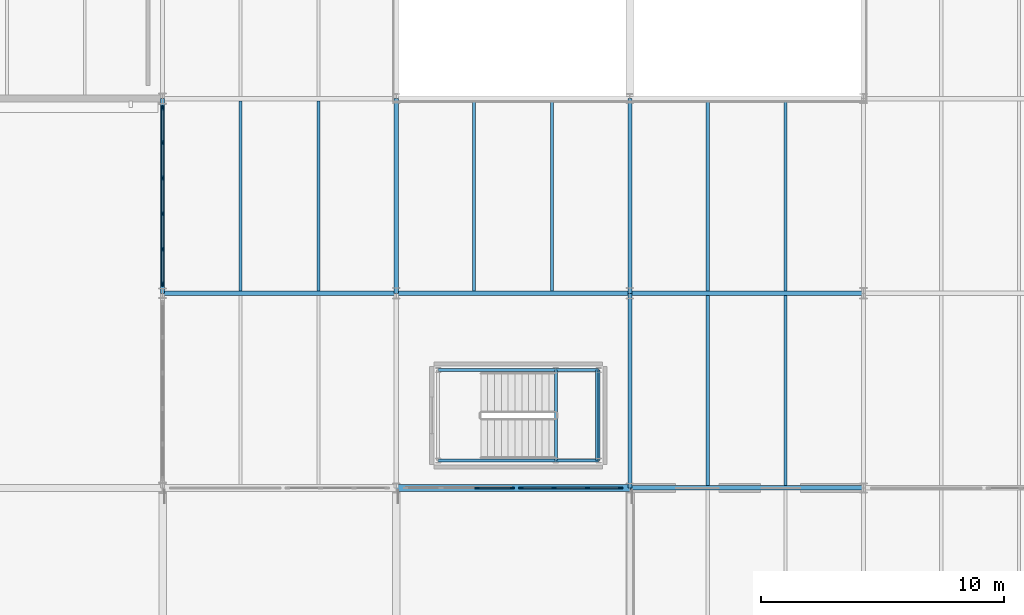
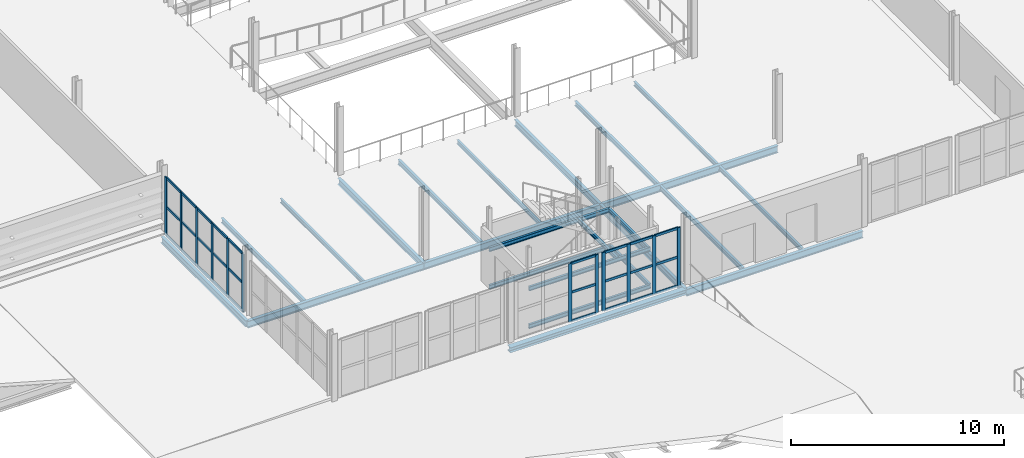
# One storey, part 41 of 85: 39 members, 24 beams, 3 elements without a shape of their own.
"""IFC4 building model written with IfcOpenShell, lengths in metres."""

from ifc_helpers import new_model, si_unit, direction, frame, origin, origin_2d, place, context, subcontext, project, spatial, rectangle, i_section, extrude, material, layer, layer_set, material_profile, profile_set, type_object, element, aggregate, save


model = new_model("IFC4")

# Units and contexts
model_context = context("Model", 3, precision=1e-05, world=origin(), true_north=direction((0.0, 1.0)))
body_context = subcontext(model_context, "Body", "Model", "MODEL_VIEW")
ifc_project = project(units=[si_unit("LENGTHUNIT", "METRE"), si_unit("AREAUNIT", "SQUARE_METRE"), si_unit("VOLUMEUNIT", "CUBIC_METRE"), si_unit("PLANEANGLEUNIT", "RADIAN"), si_unit("MASSUNIT", "GRAM", prefix="KILO")], contexts=[model_context])

# Site, building, storey
site_placement = place(None, origin())
site = spatial("IfcSite", under=ifc_project, at=site_placement, CompositionType="ELEMENT")
building_placement = place(site_placement, origin())
building = spatial("IfcBuilding", under=site, at=building_placement, Name="Alderhovde Museum", CompositionType="ELEMENT")
storey_placement = place(building_placement, frame((0.0, 0.0, 8.699951171875)))
storey = spatial("IfcBuildingStorey", under=building, at=storey_placement, Name="L02", CompositionType="ELEMENT", Elevation=8.699951171875)

# Beams
ifc_material_1 = material(Name="Steel S355J2", Category="steel")
ifc_material_profile_1 = material_profile(ifc_material_1, i_section(OverallWidth=0.1201171875, OverallDepth=0.239990234375, WebThickness=0.006103515625, FlangeThickness=0.009765625, FilletRadius=0.014892578125, at=origin_2d()), Name="IPE 240")
ifc_profile_set_1 = profile_set([ifc_material_profile_1], Name="Steel S355J2")
beam_type_1 = type_object("IfcBeamType", Name="BM-IPE240", PredefinedType="BEAM", material=ifc_profile_set_1)
for number, where, z_axis, x_axis, name in (
    (1, (88.1201171875, 33.1201171875, -0.3798828125), (1.0, 0.0, 0.0), (0.0, 1.0, 0.0), "L02 Stair ST3 Floor Trimmer S"),
    (2, (88.1201171875, 36.840087890625, -0.3798828125), (1.0, 0.0, 0.0), (0.0, 1.0, 0.0), "L02 Stair ST3 Floor Trimmer N"),
):
    element("IfcBeam", number, at=place(storey_placement, frame(where, z_axis=z_axis, x_axis=x_axis)), inside=storey, type_object=beam_type_1, Name=name, PredefinedType="BEAM", context=body_context, shape_type="SweptSolid", body=[
        extrude(i_section(OverallWidth=0.1201171875, OverallDepth=0.239990234375, WebThickness=0.006103515625, FlangeThickness=0.009765625, FilletRadius=0.014892578125, at=origin_2d()), origin(), (0.0, 0.0, 1.0), 6.599853515625),
    ])
beam_1_placement = place(storey_placement, frame((94.719970703125, 33.1201171875, -0.3798828125), z_axis=(0.0, 1.0, 0.0), x_axis=(-1.0, 0.0, 0.0)))
element("IfcBeam", 3, at=beam_1_placement, inside=storey, type_object=beam_type_1, Name="L02 Stair ST3 Floor Trimmer E", PredefinedType="BEAM", context=body_context, shape_type="SweptSolid", body=[
    extrude(i_section(OverallWidth=0.1201171875, OverallDepth=0.239990234375, WebThickness=0.006103515625, FlangeThickness=0.009765625, FilletRadius=0.014892578125, at=origin_2d()), origin(), (0.0, 0.0, 1.0), 3.719970703125),
])
for number, where, z_axis, x_axis, name in (
    (4, (88.1201171875, 33.1201171875, 1.780029296875), (1.0, 0.0, 0.0), (0.0, 1.0, 0.0), "L02 Stair ST3 Landing 1 Beam S"),
    (5, (88.1201171875, 36.840087890625, 1.780029296875), (1.0, 0.0, 0.0), (0.0, 1.0, 0.0), "L02 Stair ST3 Landing 1 Beam N"),
):
    element("IfcBeam", number, at=place(storey_placement, frame(where, z_axis=z_axis, x_axis=x_axis)), inside=storey, type_object=beam_type_1, Name=name, PredefinedType="BEAM", context=body_context, shape_type="SweptSolid", body=[
        extrude(i_section(OverallWidth=0.1201171875, OverallDepth=0.239990234375, WebThickness=0.006103515625, FlangeThickness=0.009765625, FilletRadius=0.014892578125, at=origin_2d()), origin(), (0.0, 0.0, 1.0), 6.599853515625),
    ])
for number, where, z_axis, x_axis, name in (
    (6, (92.9599609375, 33.1201171875, 1.780029296875), (0.0, 1.0, 0.0), (-1.0, 0.0, 0.0), "L02 Stair ST3 Landing 1 Beam W"),
    (7, (94.639892578125, 33.1201171875, 1.780029296875), (0.0, 1.0, 0.0), (-1.0, 0.0, 0.0), "L02 Stair ST3 Landing 1 Beam E"),
):
    element("IfcBeam", number, at=place(storey_placement, frame(where, z_axis=z_axis, x_axis=x_axis)), inside=storey, type_object=beam_type_1, Name=name, PredefinedType="BEAM", context=body_context, shape_type="SweptSolid", body=[
        extrude(i_section(OverallWidth=0.1201171875, OverallDepth=0.239990234375, WebThickness=0.006103515625, FlangeThickness=0.009765625, FilletRadius=0.014892578125, at=origin_2d()), origin(), (0.0, 0.0, 1.0), 3.719970703125),
    ])
ifc_material_2 = material(Name="Steel S355J2", Category="steel")
ifc_material_profile_2 = material_profile(ifc_material_2, i_section(OverallWidth=0.169921875, OverallDepth=0.360107421875, WebThickness=0.008056640625, FlangeThickness=0.0126953125, FilletRadius=0.01806640625, at=origin_2d()), Name="IPE 360")
ifc_profile_set_2 = profile_set([ifc_material_profile_2], Name="Steel S355J2")
beam_type_2 = type_object("IfcBeamType", Name="BM-IPE360", PredefinedType="BEAM", material=ifc_profile_set_2)
for number, where, z_axis, x_axis, name in (
    (8, (76.800048828125, 40.0, -0.43994140625), (0.0, 1.0, 0.0), (-1.0, 0.0, 0.0), "L02 Grid Beam X=76.8 (40.0 TO 48.0)"),
    (9, (86.39990234375, 40.0, -0.43994140625), (0.0, 1.0, 0.0), (-1.0, 0.0, 0.0), "L02 Grid Beam X=86.4 (40.0 TO 48.0)"),
    (10, (96.0, 32.0, -0.43994140625), (0.0, 1.0, 0.0), (-1.0, 0.0, 0.0), "L02 Grid Beam X=96.0 (32.0 TO 40.0)"),
    (11, (96.0, 40.0, -0.43994140625), (0.0, 1.0, 0.0), (-1.0, 0.0, 0.0), "L02 Grid Beam X=96.0 (40.0 TO 48.0)"),
):
    element("IfcBeam", number, at=place(storey_placement, frame(where, z_axis=z_axis, x_axis=x_axis)), inside=storey, type_object=beam_type_2, Name=name, PredefinedType="BEAM", context=body_context, shape_type="SweptSolid", body=[
        extrude(i_section(OverallWidth=0.169921875, OverallDepth=0.360107421875, WebThickness=0.008056640625, FlangeThickness=0.0126953125, FilletRadius=0.01806640625, at=origin_2d()), origin(), (0.0, 0.0, 1.0), 8.0),
    ])
ifc_material_3 = material(Name="Steel S355J2", Category="steel")
ifc_material_profile_3 = material_profile(ifc_material_3, i_section(OverallWidth=0.179931640625, OverallDepth=0.39990234375, WebThickness=0.008544921875, FlangeThickness=0.013427734375, FilletRadius=0.02099609375, at=origin_2d()), Name="IPE 400")
ifc_profile_set_3 = profile_set([ifc_material_profile_3], Name="Steel S355J2")
beam_type_3 = type_object("IfcBeamType", Name="BM-IPE400", PredefinedType="BEAM", material=ifc_profile_set_3)
beam_2_placement = place(storey_placement, frame((96.0, 32.0, -0.5), z_axis=(1.0, 0.0, 0.0), x_axis=(0.0, 1.0, 0.0)))
element("IfcBeam", 12, at=beam_2_placement, inside=storey, type_object=beam_type_3, Name="L02 Grid Beam Y=32.0 (96.0 TO 105.6)", PredefinedType="BEAM", context=body_context, shape_type="SweptSolid", body=[
    extrude(i_section(OverallWidth=0.179931640625, OverallDepth=0.39990234375, WebThickness=0.008544921875, FlangeThickness=0.013427734375, FilletRadius=0.02099609375, at=origin_2d()), origin(), (0.0, 0.0, 1.0), 9.60009765625),
])
beam_3_placement = place(storey_placement, frame((76.800048828125, 40.0, -0.4599609375), z_axis=(1.0, 0.0, 0.0), x_axis=(0.0, 1.0, 0.0)))
element("IfcBeam", 13, at=beam_3_placement, inside=storey, type_object=beam_type_3, Name="L02 Grid Beam Y=40.0 (76.8 TO 86.4)", PredefinedType="BEAM", context=body_context, shape_type="SweptSolid", body=[
    extrude(i_section(OverallWidth=0.179931640625, OverallDepth=0.39990234375, WebThickness=0.008544921875, FlangeThickness=0.013427734375, FilletRadius=0.02099609375, at=origin_2d()), origin(), (0.0, 0.0, 1.0), 9.599853515625),
])
for number, where, z_axis, x_axis, name in (
    (14, (86.39990234375, 40.0, -0.4599609375), (1.0, 0.0, 0.0), (0.0, 1.0, 0.0), "L02 Grid Beam Y=40.0 (86.4 TO 96.0)"),
    (15, (96.0, 40.0, -0.4599609375), (1.0, 0.0, 0.0), (0.0, 1.0, 0.0), "L02 Grid Beam Y=40.0 (96.0 TO 105.6)"),
):
    element("IfcBeam", number, at=place(storey_placement, frame(where, z_axis=z_axis, x_axis=x_axis)), inside=storey, type_object=beam_type_3, Name=name, PredefinedType="BEAM", context=body_context, shape_type="SweptSolid", body=[
        extrude(i_section(OverallWidth=0.179931640625, OverallDepth=0.39990234375, WebThickness=0.008544921875, FlangeThickness=0.013427734375, FilletRadius=0.02099609375, at=origin_2d()), origin(), (0.0, 0.0, 1.0), 9.60009765625),
    ])

# Curtain wall, members
ifc_material_4 = material(Name="Triple-Glazed Bronze-Anodised Curtain Wall", Category="glass")
ifc_layer_1 = layer(ifc_material_4, 0.179931640625)
ifc_layer_set_1 = layer_set([ifc_layer_1], Name="Triple-Glazed Bronze-Anodised Curtain Wall")
curtain_wall_type_1 = type_object("IfcCurtainWallType", Name="CW-UNIT-445x336", PredefinedType="USERDEFINED", material=ifc_layer_set_1)
curtain_wall_1_placement = place(storey_placement, origin())
curtain_wall_1 = element("IfcCurtainWall", 16, at=curtain_wall_1_placement, inside=storey, type_object=curtain_wall_type_1, Name="L02 Unitised Curtain Wall 37", ObjectType="UNITISED CURTAIN WALL", PredefinedType="USERDEFINED")
ifc_material_5 = material(Name="Bronze-Anodised Aluminium EN AW-6063-T6", Category="aluminium")
ifc_material_profile_4 = material_profile(ifc_material_5, rectangle(XDim=0.06494140625, YDim=0.179931640625, at=origin_2d()), Name="MULLION 65x180")
ifc_profile_set_4 = profile_set([ifc_material_profile_4], Name="Bronze-Anodised Aluminium EN AW-6063-T6")
member_type_1 = type_object("IfcMemberType", Name="CWM-65x180", PredefinedType="MULLION", material=ifc_profile_set_4)
member_1_placement = place(storey_placement, frame((89.716552734375, 32.0, 0.0), z_axis=(0.0, 0.0, 1.0), x_axis=(0.0, 1.0, 0.0)))
member_1 = element("IfcMember", 17, at=member_1_placement, type_object=member_type_1, Name="CW10 mullion 3", PredefinedType="MULLION", context=body_context, shape_type="SweptSolid", body=[
    extrude(rectangle(XDim=0.06494140625, YDim=0.179931640625, at=origin_2d()), origin(), (0.0, 0.0, 1.0), 3.360107421875),
])
member_2_placement = place(storey_placement, frame((91.16748046875, 32.0, 0.0), z_axis=(0.0, 0.0, 1.0), x_axis=(0.0, 1.0, 0.0)))
member_2 = element("IfcMember", 18, at=member_2_placement, type_object=member_type_1, Name="CW10 mullion 4", PredefinedType="MULLION", context=body_context, shape_type="SweptSolid", body=[
    extrude(rectangle(XDim=0.06494140625, YDim=0.179931640625, at=origin_2d()), origin(), (0.0, 0.0, 1.0), 3.360107421875),
])

ifc_material_6 = material(Name="Triple-Glazed Bronze-Anodised Curtain Wall", Category="glass")
ifc_layer_2 = layer(ifc_material_6, 0.179931640625)
ifc_layer_set_2 = layer_set([ifc_layer_2], Name="Triple-Glazed Bronze-Anodised Curtain Wall")
curtain_wall_type_2 = type_object("IfcCurtainWallType", Name="CW-UNIT-415x336", PredefinedType="USERDEFINED", material=ifc_layer_set_2)
curtain_wall_2_placement = place(storey_placement, origin())
curtain_wall_2 = element("IfcCurtainWall", 19, at=curtain_wall_2_placement, inside=storey, type_object=curtain_wall_type_2, Name="L02 Unitised Curtain Wall 38", ObjectType="UNITISED CURTAIN WALL", PredefinedType="USERDEFINED")
member_3_placement = place(storey_placement, frame((91.532470703125, 32.0, 0.0), z_axis=(0.0, 0.0, 1.0), x_axis=(0.0, 1.0, 0.0)))
member_3 = element("IfcMember", 20, at=member_3_placement, type_object=member_type_1, Name="CW11 mullion 1", PredefinedType="MULLION", context=body_context, shape_type="SweptSolid", body=[
    extrude(rectangle(XDim=0.06494140625, YDim=0.179931640625, at=origin_2d()), origin(), (0.0, 0.0, 1.0), 3.360107421875),
])
member_4_placement = place(storey_placement, frame((92.88330078125, 32.0, 0.0), z_axis=(0.0, 0.0, 1.0), x_axis=(0.0, 1.0, 0.0)))
member_4 = element("IfcMember", 21, at=member_4_placement, type_object=member_type_1, Name="CW11 mullion 2", PredefinedType="MULLION", context=body_context, shape_type="SweptSolid", body=[
    extrude(rectangle(XDim=0.06494140625, YDim=0.179931640625, at=origin_2d()), origin(), (0.0, 0.0, 1.0), 3.360107421875),
])
member_5_placement = place(storey_placement, frame((94.2666015625, 32.0, 0.0), z_axis=(0.0, 0.0, 1.0), x_axis=(0.0, 1.0, 0.0)))
member_5 = element("IfcMember", 22, at=member_5_placement, type_object=member_type_1, Name="CW11 mullion 3", PredefinedType="MULLION", context=body_context, shape_type="SweptSolid", body=[
    extrude(rectangle(XDim=0.06494140625, YDim=0.179931640625, at=origin_2d()), origin(), (0.0, 0.0, 1.0), 3.360107421875),
])
member_6_placement = place(storey_placement, frame((95.617431640625, 32.0, 0.0), z_axis=(0.0, 0.0, 1.0), x_axis=(0.0, 1.0, 0.0)))
member_6 = element("IfcMember", 23, at=member_6_placement, type_object=member_type_1, Name="CW11 mullion 4", PredefinedType="MULLION", context=body_context, shape_type="SweptSolid", body=[
    extrude(rectangle(XDim=0.06494140625, YDim=0.179931640625, at=origin_2d()), origin(), (0.0, 0.0, 1.0), 3.360107421875),
])

ifc_material_7 = material(Name="Triple-Glazed Bronze-Anodised Curtain Wall", Category="glass")
ifc_layer_3 = layer(ifc_material_7, 0.179931640625)
ifc_layer_set_3 = layer_set([ifc_layer_3], Name="Triple-Glazed Bronze-Anodised Curtain Wall")
curtain_wall_type_3 = type_object("IfcCurtainWallType", Name="CW-STIC-730x336", PredefinedType="USERDEFINED", material=ifc_layer_set_3)
curtain_wall_3_placement = place(storey_placement, origin())
curtain_wall_3 = element("IfcCurtainWall", 24, at=curtain_wall_3_placement, inside=storey, type_object=curtain_wall_type_3, Name="L02 Stick Curtain Wall 42", ObjectType="STICK CURTAIN WALL", PredefinedType="USERDEFINED")
member_7_placement = place(storey_placement, frame((76.800048828125, 40.382568359375, 0.0), z_axis=(0.0, 0.0, 1.0), x_axis=(-1.0, 0.0, 0.0)))
member_7 = element("IfcMember", 25, at=member_7_placement, type_object=member_type_1, Name="CW12 mullion 1", PredefinedType="MULLION", context=body_context, shape_type="SweptSolid", body=[
    extrude(rectangle(XDim=0.06494140625, YDim=0.179931640625, at=origin_2d()), origin(), (0.0, 0.0, 1.0), 3.360107421875),
])
member_8_placement = place(storey_placement, frame((76.800048828125, 41.81005859375, 0.0), z_axis=(0.0, 0.0, 1.0), x_axis=(-1.0, 0.0, 0.0)))
member_8 = element("IfcMember", 26, at=member_8_placement, type_object=member_type_1, Name="CW12 mullion 2", PredefinedType="MULLION", context=body_context, shape_type="SweptSolid", body=[
    extrude(rectangle(XDim=0.06494140625, YDim=0.179931640625, at=origin_2d()), origin(), (0.0, 0.0, 1.0), 3.360107421875),
])
member_9_placement = place(storey_placement, frame((76.800048828125, 43.27001953125, 0.0), z_axis=(0.0, 0.0, 1.0), x_axis=(-1.0, 0.0, 0.0)))
member_9 = element("IfcMember", 27, at=member_9_placement, type_object=member_type_1, Name="CW12 mullion 3", PredefinedType="MULLION", context=body_context, shape_type="SweptSolid", body=[
    extrude(rectangle(XDim=0.06494140625, YDim=0.179931640625, at=origin_2d()), origin(), (0.0, 0.0, 1.0), 3.360107421875),
])
member_10_placement = place(storey_placement, frame((76.800048828125, 44.72998046875, 0.0), z_axis=(0.0, 0.0, 1.0), x_axis=(-1.0, 0.0, 0.0)))
member_10 = element("IfcMember", 28, at=member_10_placement, type_object=member_type_1, Name="CW12 mullion 4", PredefinedType="MULLION", context=body_context, shape_type="SweptSolid", body=[
    extrude(rectangle(XDim=0.06494140625, YDim=0.179931640625, at=origin_2d()), origin(), (0.0, 0.0, 1.0), 3.360107421875),
])
member_11_placement = place(storey_placement, frame((76.800048828125, 46.18994140625, 0.0), z_axis=(0.0, 0.0, 1.0), x_axis=(-1.0, 0.0, 0.0)))
member_11 = element("IfcMember", 29, at=member_11_placement, type_object=member_type_1, Name="CW12 mullion 5", PredefinedType="MULLION", context=body_context, shape_type="SweptSolid", body=[
    extrude(rectangle(XDim=0.06494140625, YDim=0.179931640625, at=origin_2d()), origin(), (0.0, 0.0, 1.0), 3.360107421875),
])
member_12_placement = place(storey_placement, frame((76.800048828125, 47.617431640625, 0.0), z_axis=(0.0, 0.0, 1.0), x_axis=(-1.0, 0.0, 0.0)))
member_12 = element("IfcMember", 30, at=member_12_placement, type_object=member_type_1, Name="CW12 mullion 6", PredefinedType="MULLION", context=body_context, shape_type="SweptSolid", body=[
    extrude(rectangle(XDim=0.06494140625, YDim=0.179931640625, at=origin_2d()), origin(), (0.0, 0.0, 1.0), 3.360107421875),
])

# Member
ifc_material_8 = material(Name="Bronze-Anodised Aluminium EN AW-6063-T6", Category="aluminium")
ifc_material_profile_5 = material_profile(ifc_material_8, rectangle(XDim=0.06494140625, YDim=0.139892578125, at=origin_2d()), Name="TRANSOM 65x140")
ifc_profile_set_5 = profile_set([ifc_material_profile_5], Name="Bronze-Anodised Aluminium EN AW-6063-T6")
member_type_2 = type_object("IfcMemberType", Name="CWT-65x140", PredefinedType="USERDEFINED", material=ifc_profile_set_5)
member_13_placement = place(storey_placement, frame((89.749267578125, 32.0, 0.032470703125), z_axis=(1.0, 0.0, 0.0), x_axis=(0.0, 1.0, 0.0)))
member_13 = element("IfcMember", 31, at=member_13_placement, type_object=member_type_2, Name="CW10 transom 3.1", ObjectType="TRANSOM", PredefinedType="USERDEFINED", context=body_context, shape_type="SweptSolid", body=[
    extrude(rectangle(XDim=0.06494140625, YDim=0.139892578125, at=origin_2d()), origin(), (0.0, 0.0, 1.0), 1.3857421875),
])

member_14_placement = place(storey_placement, frame((89.749267578125, 32.0, 1.679931640625), z_axis=(1.0, 0.0, 0.0), x_axis=(0.0, 1.0, 0.0)))
member_14 = element("IfcMember", 32, at=member_14_placement, type_object=member_type_2, Name="CW10 transom 3.2", ObjectType="TRANSOM", PredefinedType="USERDEFINED", context=body_context, shape_type="SweptSolid", body=[
    extrude(rectangle(XDim=0.06494140625, YDim=0.139892578125, at=origin_2d()), origin(), (0.0, 0.0, 1.0), 1.3857421875),
])

member_15_placement = place(storey_placement, frame((89.749267578125, 32.0, 3.32763671875), z_axis=(1.0, 0.0, 0.0), x_axis=(0.0, 1.0, 0.0)))
member_15 = element("IfcMember", 33, at=member_15_placement, type_object=member_type_2, Name="CW10 transom 3.3", ObjectType="TRANSOM", PredefinedType="USERDEFINED", context=body_context, shape_type="SweptSolid", body=[
    extrude(rectangle(XDim=0.06494140625, YDim=0.139892578125, at=origin_2d()), origin(), (0.0, 0.0, 1.0), 1.3857421875),
])

aggregate(curtain_wall_1, [member_1, member_2, member_13, member_14, member_15])

member_16_placement = place(storey_placement, frame((91.56494140625, 32.0, 0.032470703125), z_axis=(1.0, 0.0, 0.0), x_axis=(0.0, 1.0, 0.0)))
member_16 = element("IfcMember", 34, at=member_16_placement, type_object=member_type_2, Name="CW11 transom 1.1", ObjectType="TRANSOM", PredefinedType="USERDEFINED", context=body_context, shape_type="SweptSolid", body=[
    extrude(rectangle(XDim=0.06494140625, YDim=0.139892578125, at=origin_2d()), origin(), (0.0, 0.0, 1.0), 1.285888671875),
])

member_17_placement = place(storey_placement, frame((91.56494140625, 32.0, 1.679931640625), z_axis=(1.0, 0.0, 0.0), x_axis=(0.0, 1.0, 0.0)))
member_17 = element("IfcMember", 35, at=member_17_placement, type_object=member_type_2, Name="CW11 transom 1.2", ObjectType="TRANSOM", PredefinedType="USERDEFINED", context=body_context, shape_type="SweptSolid", body=[
    extrude(rectangle(XDim=0.06494140625, YDim=0.139892578125, at=origin_2d()), origin(), (0.0, 0.0, 1.0), 1.285888671875),
])

member_18_placement = place(storey_placement, frame((91.56494140625, 32.0, 3.32763671875), z_axis=(1.0, 0.0, 0.0), x_axis=(0.0, 1.0, 0.0)))
member_18 = element("IfcMember", 36, at=member_18_placement, type_object=member_type_2, Name="CW11 transom 1.3", ObjectType="TRANSOM", PredefinedType="USERDEFINED", context=body_context, shape_type="SweptSolid", body=[
    extrude(rectangle(XDim=0.06494140625, YDim=0.139892578125, at=origin_2d()), origin(), (0.0, 0.0, 1.0), 1.285888671875),
])

member_19_placement = place(storey_placement, frame((92.915771484375, 32.0, 0.032470703125), z_axis=(1.0, 0.0, 0.0), x_axis=(0.0, 1.0, 0.0)))
member_19 = element("IfcMember", 37, at=member_19_placement, type_object=member_type_2, Name="CW11 transom 2.1", ObjectType="TRANSOM", PredefinedType="USERDEFINED", context=body_context, shape_type="SweptSolid", body=[
    extrude(rectangle(XDim=0.06494140625, YDim=0.139892578125, at=origin_2d()), origin(), (0.0, 0.0, 1.0), 1.318359375),
])

member_20_placement = place(storey_placement, frame((92.915771484375, 32.0, 1.679931640625), z_axis=(1.0, 0.0, 0.0), x_axis=(0.0, 1.0, 0.0)))
member_20 = element("IfcMember", 38, at=member_20_placement, type_object=member_type_2, Name="CW11 transom 2.2", ObjectType="TRANSOM", PredefinedType="USERDEFINED", context=body_context, shape_type="SweptSolid", body=[
    extrude(rectangle(XDim=0.06494140625, YDim=0.139892578125, at=origin_2d()), origin(), (0.0, 0.0, 1.0), 1.318359375),
])

member_21_placement = place(storey_placement, frame((92.915771484375, 32.0, 3.32763671875), z_axis=(1.0, 0.0, 0.0), x_axis=(0.0, 1.0, 0.0)))
member_21 = element("IfcMember", 39, at=member_21_placement, type_object=member_type_2, Name="CW11 transom 2.3", ObjectType="TRANSOM", PredefinedType="USERDEFINED", context=body_context, shape_type="SweptSolid", body=[
    extrude(rectangle(XDim=0.06494140625, YDim=0.139892578125, at=origin_2d()), origin(), (0.0, 0.0, 1.0), 1.318359375),
])

member_22_placement = place(storey_placement, frame((94.299072265625, 32.0, 0.032470703125), z_axis=(1.0, 0.0, 0.0), x_axis=(0.0, 1.0, 0.0)))
member_22 = element("IfcMember", 40, at=member_22_placement, type_object=member_type_2, Name="CW11 transom 3.1", ObjectType="TRANSOM", PredefinedType="USERDEFINED", context=body_context, shape_type="SweptSolid", body=[
    extrude(rectangle(XDim=0.06494140625, YDim=0.139892578125, at=origin_2d()), origin(), (0.0, 0.0, 1.0), 1.285888671875),
])

member_23_placement = place(storey_placement, frame((94.299072265625, 32.0, 1.679931640625), z_axis=(1.0, 0.0, 0.0), x_axis=(0.0, 1.0, 0.0)))
member_23 = element("IfcMember", 41, at=member_23_placement, type_object=member_type_2, Name="CW11 transom 3.2", ObjectType="TRANSOM", PredefinedType="USERDEFINED", context=body_context, shape_type="SweptSolid", body=[
    extrude(rectangle(XDim=0.06494140625, YDim=0.139892578125, at=origin_2d()), origin(), (0.0, 0.0, 1.0), 1.285888671875),
])

member_24_placement = place(storey_placement, frame((94.299072265625, 32.0, 3.32763671875), z_axis=(1.0, 0.0, 0.0), x_axis=(0.0, 1.0, 0.0)))
member_24 = element("IfcMember", 42, at=member_24_placement, type_object=member_type_2, Name="CW11 transom 3.3", ObjectType="TRANSOM", PredefinedType="USERDEFINED", context=body_context, shape_type="SweptSolid", body=[
    extrude(rectangle(XDim=0.06494140625, YDim=0.139892578125, at=origin_2d()), origin(), (0.0, 0.0, 1.0), 1.285888671875),
])

aggregate(curtain_wall_2, [member_3, member_4, member_5, member_6, member_16, member_17, member_18, member_19, member_20, member_21, member_22, member_23, member_24])

member_25_placement = place(storey_placement, frame((76.800048828125, 40.4150390625, 0.032470703125), z_axis=(0.0, 1.0, 0.0), x_axis=(-1.0, 0.0, 0.0)))
member_25 = element("IfcMember", 43, at=member_25_placement, type_object=member_type_2, Name="CW12 transom 1.1", ObjectType="TRANSOM", PredefinedType="USERDEFINED", context=body_context, shape_type="SweptSolid", body=[
    extrude(rectangle(XDim=0.06494140625, YDim=0.139892578125, at=origin_2d()), origin(), (0.0, 0.0, 1.0), 1.362548828125),
])

member_26_placement = place(storey_placement, frame((76.800048828125, 40.4150390625, 1.679931640625), z_axis=(0.0, 1.0, 0.0), x_axis=(-1.0, 0.0, 0.0)))
member_26 = element("IfcMember", 44, at=member_26_placement, type_object=member_type_2, Name="CW12 transom 1.2", ObjectType="TRANSOM", PredefinedType="USERDEFINED", context=body_context, shape_type="SweptSolid", body=[
    extrude(rectangle(XDim=0.06494140625, YDim=0.139892578125, at=origin_2d()), origin(), (0.0, 0.0, 1.0), 1.362548828125),
])

member_27_placement = place(storey_placement, frame((76.800048828125, 40.4150390625, 3.32763671875), z_axis=(0.0, 1.0, 0.0), x_axis=(-1.0, 0.0, 0.0)))
member_27 = element("IfcMember", 45, at=member_27_placement, type_object=member_type_2, Name="CW12 transom 1.3", ObjectType="TRANSOM", PredefinedType="USERDEFINED", context=body_context, shape_type="SweptSolid", body=[
    extrude(rectangle(XDim=0.06494140625, YDim=0.139892578125, at=origin_2d()), origin(), (0.0, 0.0, 1.0), 1.362548828125),
])

member_28_placement = place(storey_placement, frame((76.800048828125, 41.842529296875, 0.032470703125), z_axis=(0.0, 1.0, 0.0), x_axis=(-1.0, 0.0, 0.0)))
member_28 = element("IfcMember", 46, at=member_28_placement, type_object=member_type_2, Name="CW12 transom 2.1", ObjectType="TRANSOM", PredefinedType="USERDEFINED", context=body_context, shape_type="SweptSolid", body=[
    extrude(rectangle(XDim=0.06494140625, YDim=0.139892578125, at=origin_2d()), origin(), (0.0, 0.0, 1.0), 1.39501953125),
])

member_29_placement = place(storey_placement, frame((76.800048828125, 41.842529296875, 1.679931640625), z_axis=(0.0, 1.0, 0.0), x_axis=(-1.0, 0.0, 0.0)))
member_29 = element("IfcMember", 47, at=member_29_placement, type_object=member_type_2, Name="CW12 transom 2.2", ObjectType="TRANSOM", PredefinedType="USERDEFINED", context=body_context, shape_type="SweptSolid", body=[
    extrude(rectangle(XDim=0.06494140625, YDim=0.139892578125, at=origin_2d()), origin(), (0.0, 0.0, 1.0), 1.39501953125),
])

member_30_placement = place(storey_placement, frame((76.800048828125, 41.842529296875, 3.32763671875), z_axis=(0.0, 1.0, 0.0), x_axis=(-1.0, 0.0, 0.0)))
member_30 = element("IfcMember", 48, at=member_30_placement, type_object=member_type_2, Name="CW12 transom 2.3", ObjectType="TRANSOM", PredefinedType="USERDEFINED", context=body_context, shape_type="SweptSolid", body=[
    extrude(rectangle(XDim=0.06494140625, YDim=0.139892578125, at=origin_2d()), origin(), (0.0, 0.0, 1.0), 1.39501953125),
])

member_31_placement = place(storey_placement, frame((76.800048828125, 43.302490234375, 0.032470703125), z_axis=(0.0, 1.0, 0.0), x_axis=(-1.0, 0.0, 0.0)))
member_31 = element("IfcMember", 49, at=member_31_placement, type_object=member_type_2, Name="CW12 transom 3.1", ObjectType="TRANSOM", PredefinedType="USERDEFINED", context=body_context, shape_type="SweptSolid", body=[
    extrude(rectangle(XDim=0.06494140625, YDim=0.139892578125, at=origin_2d()), origin(), (0.0, 0.0, 1.0), 1.39501953125),
])

member_32_placement = place(storey_placement, frame((76.800048828125, 43.302490234375, 1.679931640625), z_axis=(0.0, 1.0, 0.0), x_axis=(-1.0, 0.0, 0.0)))
member_32 = element("IfcMember", 50, at=member_32_placement, type_object=member_type_2, Name="CW12 transom 3.2", ObjectType="TRANSOM", PredefinedType="USERDEFINED", context=body_context, shape_type="SweptSolid", body=[
    extrude(rectangle(XDim=0.06494140625, YDim=0.139892578125, at=origin_2d()), origin(), (0.0, 0.0, 1.0), 1.39501953125),
])

member_33_placement = place(storey_placement, frame((76.800048828125, 43.302490234375, 3.32763671875), z_axis=(0.0, 1.0, 0.0), x_axis=(-1.0, 0.0, 0.0)))
member_33 = element("IfcMember", 51, at=member_33_placement, type_object=member_type_2, Name="CW12 transom 3.3", ObjectType="TRANSOM", PredefinedType="USERDEFINED", context=body_context, shape_type="SweptSolid", body=[
    extrude(rectangle(XDim=0.06494140625, YDim=0.139892578125, at=origin_2d()), origin(), (0.0, 0.0, 1.0), 1.39501953125),
])

member_34_placement = place(storey_placement, frame((76.800048828125, 44.762451171875, 0.032470703125), z_axis=(0.0, 1.0, 0.0), x_axis=(-1.0, 0.0, 0.0)))
member_34 = element("IfcMember", 52, at=member_34_placement, type_object=member_type_2, Name="CW12 transom 4.1", ObjectType="TRANSOM", PredefinedType="USERDEFINED", context=body_context, shape_type="SweptSolid", body=[
    extrude(rectangle(XDim=0.06494140625, YDim=0.139892578125, at=origin_2d()), origin(), (0.0, 0.0, 1.0), 1.39501953125),
])

member_35_placement = place(storey_placement, frame((76.800048828125, 44.762451171875, 1.679931640625), z_axis=(0.0, 1.0, 0.0), x_axis=(-1.0, 0.0, 0.0)))
member_35 = element("IfcMember", 53, at=member_35_placement, type_object=member_type_2, Name="CW12 transom 4.2", ObjectType="TRANSOM", PredefinedType="USERDEFINED", context=body_context, shape_type="SweptSolid", body=[
    extrude(rectangle(XDim=0.06494140625, YDim=0.139892578125, at=origin_2d()), origin(), (0.0, 0.0, 1.0), 1.39501953125),
])

member_36_placement = place(storey_placement, frame((76.800048828125, 44.762451171875, 3.32763671875), z_axis=(0.0, 1.0, 0.0), x_axis=(-1.0, 0.0, 0.0)))
member_36 = element("IfcMember", 54, at=member_36_placement, type_object=member_type_2, Name="CW12 transom 4.3", ObjectType="TRANSOM", PredefinedType="USERDEFINED", context=body_context, shape_type="SweptSolid", body=[
    extrude(rectangle(XDim=0.06494140625, YDim=0.139892578125, at=origin_2d()), origin(), (0.0, 0.0, 1.0), 1.39501953125),
])

member_37_placement = place(storey_placement, frame((76.800048828125, 46.222412109375, 0.032470703125), z_axis=(0.0, 1.0, 0.0), x_axis=(-1.0, 0.0, 0.0)))
member_37 = element("IfcMember", 55, at=member_37_placement, type_object=member_type_2, Name="CW12 transom 5.1", ObjectType="TRANSOM", PredefinedType="USERDEFINED", context=body_context, shape_type="SweptSolid", body=[
    extrude(rectangle(XDim=0.06494140625, YDim=0.139892578125, at=origin_2d()), origin(), (0.0, 0.0, 1.0), 1.362548828125),
])

member_38_placement = place(storey_placement, frame((76.800048828125, 46.222412109375, 1.679931640625), z_axis=(0.0, 1.0, 0.0), x_axis=(-1.0, 0.0, 0.0)))
member_38 = element("IfcMember", 56, at=member_38_placement, type_object=member_type_2, Name="CW12 transom 5.2", ObjectType="TRANSOM", PredefinedType="USERDEFINED", context=body_context, shape_type="SweptSolid", body=[
    extrude(rectangle(XDim=0.06494140625, YDim=0.139892578125, at=origin_2d()), origin(), (0.0, 0.0, 1.0), 1.362548828125),
])

member_39_placement = place(storey_placement, frame((76.800048828125, 46.222412109375, 3.32763671875), z_axis=(0.0, 1.0, 0.0), x_axis=(-1.0, 0.0, 0.0)))
member_39 = element("IfcMember", 57, at=member_39_placement, type_object=member_type_2, Name="CW12 transom 5.3", ObjectType="TRANSOM", PredefinedType="USERDEFINED", context=body_context, shape_type="SweptSolid", body=[
    extrude(rectangle(XDim=0.06494140625, YDim=0.139892578125, at=origin_2d()), origin(), (0.0, 0.0, 1.0), 1.362548828125),
])

aggregate(curtain_wall_3, [member_7, member_8, member_9, member_10, member_11, member_12, member_25, member_26, member_27, member_28, member_29, member_30, member_31, member_32, member_33, member_34, member_35, member_36, member_37, member_38, member_39])

# Beams
ifc_material_9 = material(Name="Steel S355J2", Category="steel")
ifc_material_profile_6 = material_profile(ifc_material_9, i_section(OverallWidth=0.1201171875, OverallDepth=0.239990234375, WebThickness=0.006103515625, FlangeThickness=0.009765625, FilletRadius=0.014892578125, at=origin_2d()), Name="IPE 240")
ifc_profile_set_6 = profile_set([ifc_material_profile_6], Name="Steel S355J2")
beam_type_4 = type_object("IfcBeamType", Name="JST-IPE240", PredefinedType="JOIST", material=ifc_profile_set_6)
for number, where, z_axis, x_axis, name in (
    (58, (83.199951171875, 40.090087890625, -0.3798828125), (0.0, 1.0, 0.0), (-1.0, 0.0, 0.0), "L02 Composite Joist X=83.2 (40.0 TO 48.0)"),
    (59, (92.800048828125, 40.090087890625, -0.3798828125), (0.0, 1.0, 0.0), (-1.0, 0.0, 0.0), "L02 Composite Joist X=92.8 (40.0 TO 48.0)"),
    (60, (102.39990234375, 32.090087890625, -0.3798828125), (0.0, 1.0, 0.0), (-1.0, 0.0, 0.0), "L02 Composite Joist X=102.4 (32.0 TO 40.0)"),
    (61, (102.39990234375, 40.090087890625, -0.3798828125), (0.0, 1.0, 0.0), (-1.0, 0.0, 0.0), "L02 Composite Joist X=102.4 (40.0 TO 48.0)"),
):
    element("IfcBeam", number, at=place(storey_placement, frame(where, z_axis=z_axis, x_axis=x_axis)), inside=storey, type_object=beam_type_4, Name=name, PredefinedType="JOIST", context=body_context, shape_type="SweptSolid", body=[
        extrude(i_section(OverallWidth=0.1201171875, OverallDepth=0.239990234375, WebThickness=0.006103515625, FlangeThickness=0.009765625, FilletRadius=0.014892578125, at=origin_2d()), origin(), (0.0, 0.0, 1.0), 7.81982421875),
    ])
ifc_material_10 = material(Name="Steel S355J2", Category="steel")
ifc_material_profile_7 = material_profile(ifc_material_10, i_section(OverallWidth=0.135009765625, OverallDepth=0.27001953125, WebThickness=0.006591796875, FlangeThickness=0.01025390625, FilletRadius=0.014892578125, at=origin_2d()), Name="IPE 270")
ifc_profile_set_7 = profile_set([ifc_material_profile_7], Name="Steel S355J2")
beam_type_5 = type_object("IfcBeamType", Name="JST-IPE270", PredefinedType="JOIST", material=ifc_profile_set_7)
for number, where, z_axis, x_axis, name in (
    (62, (80.0, 40.090087890625, -0.39501953125), (0.0, 1.0, 0.0), (-1.0, 0.0, 0.0), "L02 Composite Joist X=80.0 (40.0 TO 48.0)"),
    (63, (89.60009765625, 40.090087890625, -0.39501953125), (0.0, 1.0, 0.0), (-1.0, 0.0, 0.0), "L02 Composite Joist X=89.6 (40.0 TO 48.0)"),
    (64, (99.199951171875, 32.090087890625, -0.39501953125), (0.0, 1.0, 0.0), (-1.0, 0.0, 0.0), "L02 Composite Joist X=99.2 (32.0 TO 40.0)"),
    (65, (99.199951171875, 40.090087890625, -0.39501953125), (0.0, 1.0, 0.0), (-1.0, 0.0, 0.0), "L02 Composite Joist X=99.2 (40.0 TO 48.0)"),
):
    element("IfcBeam", number, at=place(storey_placement, frame(where, z_axis=z_axis, x_axis=x_axis)), inside=storey, type_object=beam_type_5, Name=name, PredefinedType="JOIST", context=body_context, shape_type="SweptSolid", body=[
        extrude(i_section(OverallWidth=0.135009765625, OverallDepth=0.27001953125, WebThickness=0.006591796875, FlangeThickness=0.01025390625, FilletRadius=0.014892578125, at=origin_2d()), origin(), (0.0, 0.0, 1.0), 7.81982421875),
    ])
ifc_material_11 = material(Name="Steel S355J2", Category="steel")
ifc_material_profile_8 = material_profile(ifc_material_11, i_section(OverallWidth=0.300048828125, OverallDepth=0.2900390625, WebThickness=0.008544921875, FlangeThickness=0.013916015625, FilletRadius=0.027099609375, at=origin_2d()), Name="HEA 300")
ifc_profile_set_8 = profile_set([ifc_material_profile_8], Name="Steel S355J2")
beam_type_6 = type_object("IfcBeamType", Name="SPD-HEA300", PredefinedType="SPANDREL", material=ifc_profile_set_8)
beam_4_placement = place(storey_placement, frame((86.39990234375, 32.0, -0.405029296875), z_axis=(1.0, 0.0, 0.0), x_axis=(0.0, 1.0, 0.0)))
element("IfcBeam", 66, at=beam_4_placement, inside=storey, type_object=beam_type_6, Name="L02 Grid Beam Y=32.0 (86.4 TO 96.0)", PredefinedType="SPANDREL", context=body_context, shape_type="SweptSolid", body=[
    extrude(i_section(OverallWidth=0.300048828125, OverallDepth=0.2900390625, WebThickness=0.008544921875, FlangeThickness=0.013916015625, FilletRadius=0.027099609375, at=origin_2d()), origin(), (0.0, 0.0, 1.0), 9.60009765625),
])

save(model, "model.ifc")
